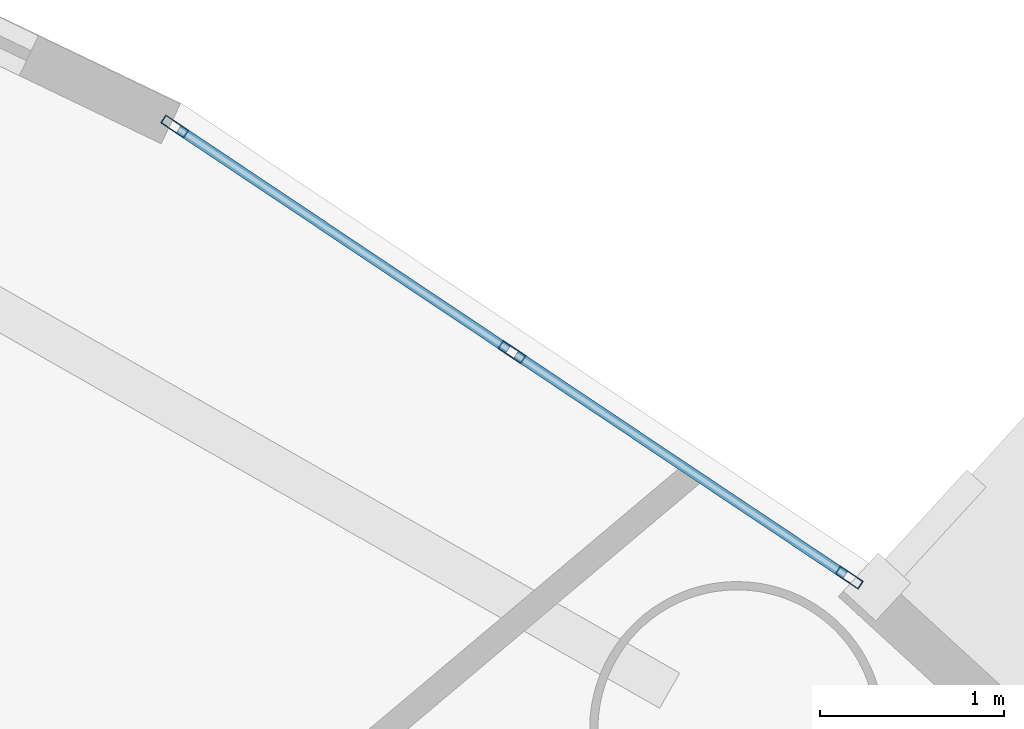
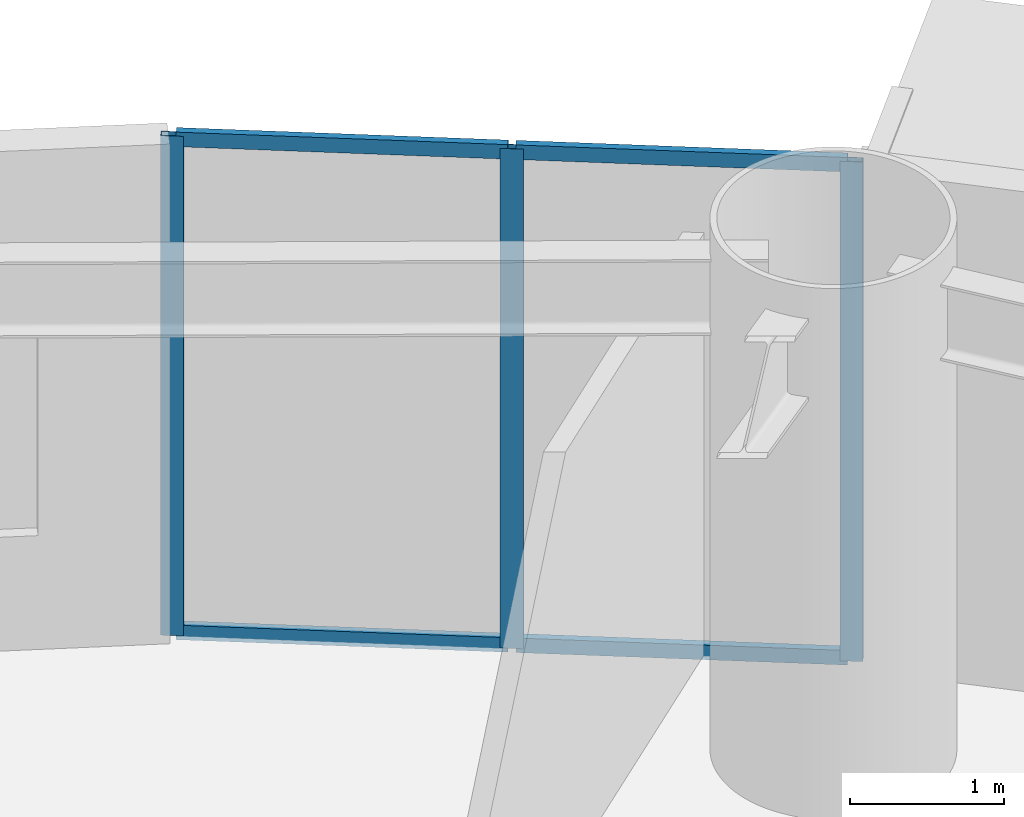
# One storey, part 5 of 20: 7 members, 1 element without a shape of its own.
"""IFC4 building model written with IfcOpenShell, lengths in metres."""

from ifc_helpers import new_model, si_unit, direction, frame, origin, origin_2d, place, context, subcontext, project, spatial, hollow_rectangle, extrude, source, transform, mapped, material, layer, layer_set, material_profile, profile_set, type_object, element, aggregate, save


model = new_model("IFC4")

# Units and contexts
model_context = context("Model", 3, precision=1e-05, world=origin(), true_north=direction((0.0, 1.0)))
body_context = subcontext(model_context, "Body", "Model", "MODEL_VIEW")
ifc_project = project(units=[si_unit("LENGTHUNIT", "METRE"), si_unit("AREAUNIT", "SQUARE_METRE"), si_unit("VOLUMEUNIT", "CUBIC_METRE"), si_unit("PLANEANGLEUNIT", "RADIAN"), si_unit("MASSUNIT", "GRAM", prefix="KILO")], contexts=[model_context])

# Site, building, storey
site_placement = place(None, origin())
site = spatial("IfcSite", under=ifc_project, at=site_placement, CompositionType="ELEMENT")
building_placement = place(site_placement, origin())
building = spatial("IfcBuilding", under=site, at=building_placement, Name="Linh Dai School and Residence Tower", CompositionType="ELEMENT")
storey_placement = place(building_placement, frame((0.0, 0.0, 66.0)))
storey = spatial("IfcBuildingStorey", under=building, at=storey_placement, Name="L15", CompositionType="ELEMENT", Elevation=66.0)

# Curtain wall, members
ifc_material_1 = material(Name="Aluminium Anodised Curtain Wall", Category="aluminium")
ifc_layer = layer(ifc_material_1, 0.14990234375)
ifc_layer_set = layer_set([ifc_layer], Name="Aluminium Anodised Curtain Wall")
curtain_wall_type = type_object("IfcCurtainWallType", Name="CW-SYS-4", PredefinedType="USERDEFINED", material=ifc_layer_set)
curtain_wall_placement = place(storey_placement, origin())
curtain_wall = element("IfcCurtainWall", 1, at=curtain_wall_placement, inside=storey, type_object=curtain_wall_type, Name="L15 CW4 Curtain Wall 06", ObjectType="RIBBON CURTAIN WALL", PredefinedType="USERDEFINED")
ifc_material_2 = material(Name="Aluminium Alloy 6063-T6", Category="aluminium")
ifc_material_profile_1 = material_profile(ifc_material_2, hollow_rectangle(XDim=0.052001953125, YDim=0.14990234375, WallThickness=0.00390625, at=origin_2d()), Name="RHS 150x52x4")
ifc_profile_set_1 = profile_set([ifc_material_profile_1], Name="Aluminium Alloy 6063-T6")
member_type_1 = type_object("IfcMemberType", Name="CW-SYS-4-MUL", PredefinedType="MULLION", material=ifc_profile_set_1)
shared_shape_1 = source(origin(), body_context, "Body", "SweptSolid", [
    extrude(hollow_rectangle(XDim=0.052001953125, YDim=0.14990234375, WallThickness=0.00390625, at=origin_2d()), origin(), (0.0, 0.0, 1.0), 3.949951171875),
])
member_1_placement = place(storey_placement, frame((54.298583984375, 46.64111328125, 0.0), z_axis=(0.0, 0.0, 1.0), x_axis=(0.555897899828, 0.831250578927, 0.0)))
member_1 = element("IfcMember", 2, at=member_1_placement, type_object=member_type_1, Name="CW4 mullion 1", PredefinedType="MULLION", context=body_context, shape_type="MappedRepresentation", body=[
    mapped(shared_shape_1, transform((0.0, 0.0, 0.0), x_axis=(1.0, 0.0, 0.0), y_axis=(0.0, 1.0, 0.0), z_axis=(0.0, 0.0, 1.0), scale=1.0)),
])
member_2_placement = place(storey_placement, frame((56.130859375, 45.416015625, 0.0), z_axis=(0.0, 0.0, 1.0), x_axis=(0.555897899828, 0.831250578927, 0.0)))
member_2 = element("IfcMember", 3, at=member_2_placement, type_object=member_type_1, Name="CW4 mullion 2", PredefinedType="MULLION", context=body_context, shape_type="MappedRepresentation", body=[
    mapped(shared_shape_1, transform((0.0, 0.0, 0.0), x_axis=(1.0, 0.0, 0.0), y_axis=(0.0, 1.0, 0.0), z_axis=(0.0, 0.0, 1.0), scale=1.0)),
])
member_3_placement = place(storey_placement, frame((57.963134765625, 44.190673828125, 0.0), z_axis=(0.0, 0.0, 1.0), x_axis=(0.555897899828, 0.831250578927, 0.0)))
member_3 = element("IfcMember", 4, at=member_3_placement, type_object=member_type_1, Name="CW4 mullion 3", PredefinedType="MULLION", context=body_context, shape_type="MappedRepresentation", body=[
    mapped(shared_shape_1, transform((0.0, 0.0, 0.0), x_axis=(1.0, 0.0, 0.0), y_axis=(0.0, 1.0, 0.0), z_axis=(0.0, 0.0, 1.0), scale=1.0)),
])
ifc_material_profile_2 = material_profile(ifc_material_2, hollow_rectangle(XDim=0.052001953125, YDim=0.114990234375, WallThickness=0.00390625, at=origin_2d()), Name="RHS 115x52x4")
ifc_profile_set_2 = profile_set([ifc_material_profile_2], Name="Aluminium Alloy 6063-T6")
member_type_2 = type_object("IfcMemberType", Name="CW-SYS-4-TRN", PredefinedType="USERDEFINED", material=ifc_profile_set_2)
shared_shape_2 = source(origin(), body_context, "Body", "SweptSolid", [
    extrude(hollow_rectangle(XDim=0.052001953125, YDim=0.114990234375, WallThickness=0.00390625, at=origin_2d()), origin(), (0.0, 0.0, 1.0), 2.152099609375),
])
member_4_placement = place(storey_placement, frame((54.3203125, 46.626708984375, 0.02587890625), z_axis=(0.831281601732, -0.555851507708, 0.0), x_axis=(0.555851507708, 0.831281601732, 0.0)))
member_4 = element("IfcMember", 5, at=member_4_placement, type_object=member_type_2, Name="CW4 transom 1.1", ObjectType="TRANSOM", PredefinedType="USERDEFINED", context=body_context, shape_type="MappedRepresentation", body=[
    mapped(shared_shape_2, transform((0.0, 0.0, 0.0), x_axis=(1.0, 0.0, 0.0), y_axis=(0.0, 1.0, 0.0), z_axis=(0.0, 0.0, 1.0), scale=1.0)),
])
member_5_placement = place(storey_placement, frame((54.3203125, 46.626708984375, 3.924072265625), z_axis=(0.831281601732, -0.555851507708, 0.0), x_axis=(0.555851507708, 0.831281601732, 0.0)))
member_5 = element("IfcMember", 6, at=member_5_placement, type_object=member_type_2, Name="CW4 transom 1.2", ObjectType="TRANSOM", PredefinedType="USERDEFINED", context=body_context, shape_type="MappedRepresentation", body=[
    mapped(shared_shape_2, transform((0.0, 0.0, 0.0), x_axis=(1.0, 0.0, 0.0), y_axis=(0.0, 1.0, 0.0), z_axis=(0.0, 0.0, 1.0), scale=1.0)),
])
shared_shape_3 = source(origin(), body_context, "Body", "SweptSolid", [
    extrude(hollow_rectangle(XDim=0.052001953125, YDim=0.114990234375, WallThickness=0.00390625, at=origin_2d()), origin(), (0.0, 0.0, 1.0), 2.15185546875),
])
member_6_placement = place(storey_placement, frame((56.152587890625, 45.4013671875, 0.02587890625), z_axis=(0.831246547398, -0.555903928245, 0.0), x_axis=(0.555903928245, 0.831246547398, 0.0)))
member_6 = element("IfcMember", 7, at=member_6_placement, type_object=member_type_2, Name="CW4 transom 2.1", ObjectType="TRANSOM", PredefinedType="USERDEFINED", context=body_context, shape_type="MappedRepresentation", body=[
    mapped(shared_shape_3, transform((0.0, 0.0, 0.0), x_axis=(1.0, 0.0, 0.0), y_axis=(0.0, 1.0, 0.0), z_axis=(0.0, 0.0, 1.0), scale=1.0)),
])
member_7_placement = place(storey_placement, frame((56.152587890625, 45.4013671875, 3.924072265625), z_axis=(0.831246547398, -0.555903928245, 0.0), x_axis=(0.555903928245, 0.831246547398, 0.0)))
member_7 = element("IfcMember", 8, at=member_7_placement, type_object=member_type_2, Name="CW4 transom 2.2", ObjectType="TRANSOM", PredefinedType="USERDEFINED", context=body_context, shape_type="MappedRepresentation", body=[
    mapped(shared_shape_3, transform((0.0, 0.0, 0.0), x_axis=(1.0, 0.0, 0.0), y_axis=(0.0, 1.0, 0.0), z_axis=(0.0, 0.0, 1.0), scale=1.0)),
])
aggregate(curtain_wall, [member_1, member_2, member_3, member_4, member_5, member_6, member_7])

save(model, "model.ifc")
